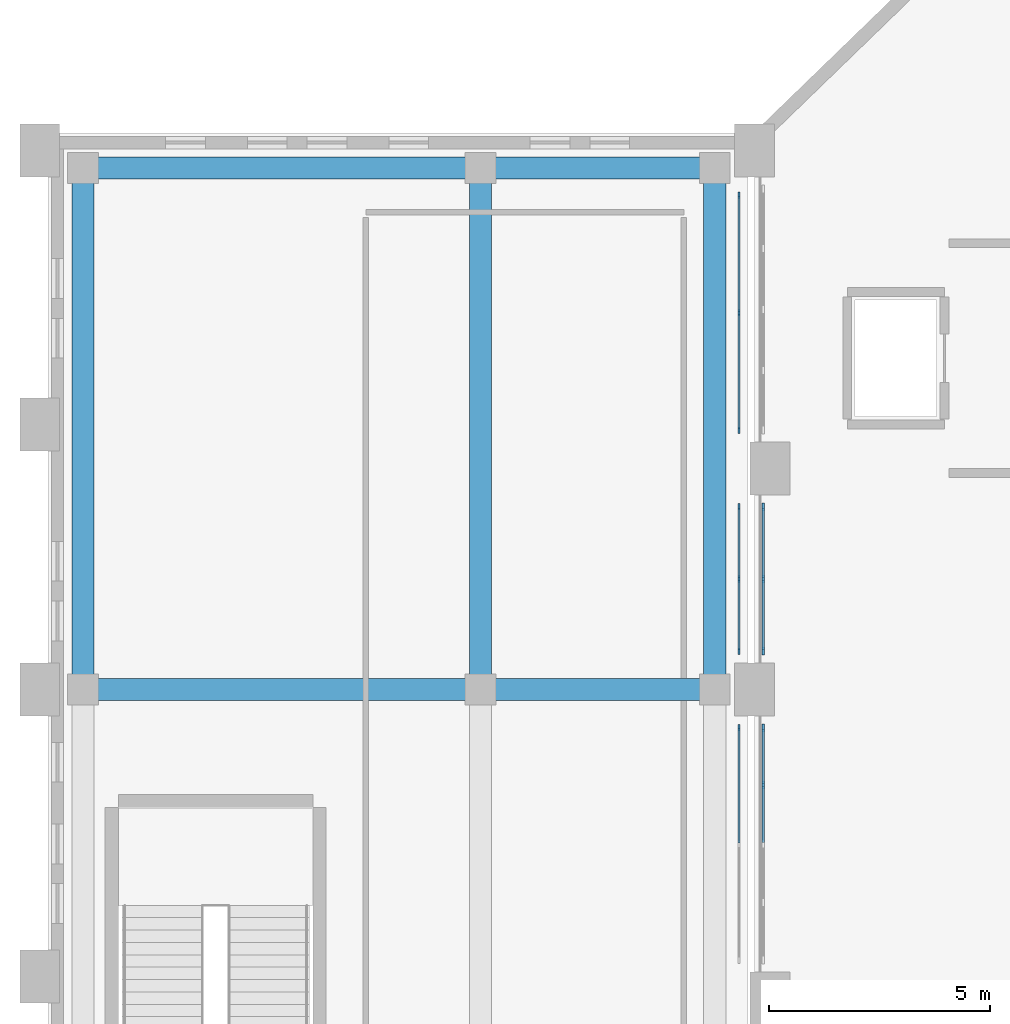
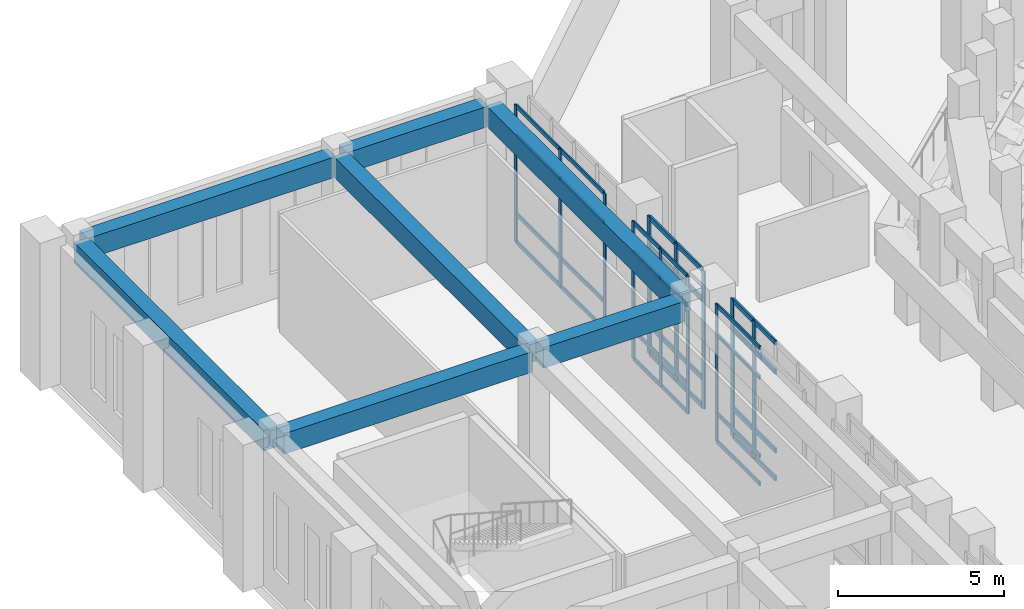
# One storey, part 47 of 159: 48 members, 7 beams, 5 elements without a shape of their own.
"""IFC4 building model written with IfcOpenShell, lengths in metres."""

from ifc_helpers import new_model, si_unit, derived_unit, direction, frame, origin, origin_2d, place, context, subcontext, project, spatial, rectangle, extrude, material, layer, layer_set, material_profile, profile_set, type_object, element, aggregate, save


model = new_model("IFC4")

# Units and contexts
model_context = context("Model", 3, precision=1e-05, world=origin(), true_north=direction((0.0, 1.0)))
body_context = subcontext(model_context, "Body", "Model", "MODEL_VIEW")
ifc_project = project(units=[si_unit("LENGTHUNIT", "METRE"), si_unit("AREAUNIT", "SQUARE_METRE"), si_unit("VOLUMEUNIT", "CUBIC_METRE"), si_unit("PLANEANGLEUNIT", "RADIAN"), si_unit("MASSUNIT", "GRAM", prefix="KILO"), derived_unit("THERMALTRANSMITTANCEUNIT", [(si_unit("MASSUNIT", "GRAM", prefix="KILO"), 1), (si_unit("TIMEUNIT", "SECOND"), -3), (si_unit("THERMODYNAMICTEMPERATUREUNIT", "KELVIN"), -1)])], contexts=[model_context])

# Site, building, storey
site_placement = place(None, origin())
site = spatial("IfcSite", under=ifc_project, at=site_placement, CompositionType="ELEMENT")
building_placement = place(site_placement, origin())
building = spatial("IfcBuilding", under=site, at=building_placement, Name="Valcora Ridge Arena", CompositionType="ELEMENT")
storey_placement = place(building_placement, frame((0.0, 0.0, 6.0)))
storey = spatial("IfcBuildingStorey", under=building, at=storey_placement, Name="L01", CompositionType="ELEMENT", Elevation=6.0)

# Beams
ifc_material_1 = material(Name="Concrete C40/50", Category="concrete")
ifc_material_profile_1 = material_profile(ifc_material_1, rectangle(XDim=0.5, YDim=0.75, at=origin_2d()), Name="RC 500x750")
ifc_profile_set_1 = profile_set([ifc_material_profile_1], Name="Concrete C40/50")
beam_type_1 = type_object("IfcBeamType", Name="TY-BEAM-B-RC500-X", PredefinedType="BEAM", material=ifc_profile_set_1)
beam_1_placement = place(storey_placement, frame((1.0, 83.0, 4.6650390625), z_axis=(1.0, 0.0, 0.0), x_axis=(0.0, 1.0, 0.0)))
element("IfcBeam", 1, at=beam_1_placement, inside=storey, type_object=beam_type_1, Name="B-RC500-X BEM-B-RC500-X-0051", PredefinedType="BEAM", context=body_context, shape_type="SweptSolid", body=[
    extrude(rectangle(XDim=0.5, YDim=0.75, at=origin_2d()), origin(), (0.0, 0.0, 1.0), 8.60009765625),
])
beam_2_placement = place(storey_placement, frame((10.0, 83.0, 4.6650390625), z_axis=(1.0, 0.0, 0.0), x_axis=(0.0, 1.0, 0.0)))
element("IfcBeam", 2, at=beam_2_placement, inside=storey, type_object=beam_type_1, Name="B-RC500-X BEM-B-RC500-X-0052", PredefinedType="BEAM", context=body_context, shape_type="SweptSolid", body=[
    extrude(rectangle(XDim=0.5, YDim=0.75, at=origin_2d()), origin(), (0.0, 0.0, 1.0), 4.89990234375),
])
ifc_material_profile_2 = material_profile(ifc_material_1, rectangle(XDim=0.5, YDim=0.75, at=origin_2d()), Name="RC 500x750")
ifc_profile_set_2 = profile_set([ifc_material_profile_2], Name="Concrete C40/50")
beam_type_2 = type_object("IfcBeamType", Name="TY-BEAM-B-RC500-Y", PredefinedType="BEAM", material=ifc_profile_set_2)
for number, where, z_axis, x_axis, name in (
    (3, (0.800048828125, 83.199951171875, 4.6650390625), (0.0, 1.0, 0.0), (-1.0, 0.0, 0.0), "B-RC500-Y BEM-B-RC500-Y-0041"),
    (4, (9.800048828125, 83.199951171875, 4.6650390625), (0.0, 1.0, 0.0), (-1.0, 0.0, 0.0), "B-RC500-Y BEM-B-RC500-Y-0049"),
    (5, (15.10009765625, 83.199951171875, 4.6650390625), (0.0, 1.0, 0.0), (-1.0, 0.0, 0.0), "B-RC500-Y BEM-B-RC500-Y-0056"),
):
    element("IfcBeam", number, at=place(storey_placement, frame(where, z_axis=z_axis, x_axis=x_axis)), inside=storey, type_object=beam_type_2, Name=name, PredefinedType="BEAM", context=body_context, shape_type="SweptSolid", body=[
        extrude(rectangle(XDim=0.5, YDim=0.75, at=origin_2d()), origin(), (0.0, 0.0, 1.0), 11.400146484375),
    ])
ifc_material_profile_3 = material_profile(ifc_material_1, rectangle(XDim=0.5, YDim=0.75, at=origin_2d()), Name="RC 500x750")
ifc_profile_set_3 = profile_set([ifc_material_profile_3], Name="Concrete C40/50")
beam_type_3 = type_object("IfcBeamType", Name="TY-BEAM-EB-RC500", PredefinedType="BEAM", material=ifc_profile_set_3)
beam_3_placement = place(storey_placement, frame((1.0, 94.800048828125, 4.6650390625), z_axis=(1.0, 0.0, 0.0), x_axis=(0.0, 1.0, 0.0)))
element("IfcBeam", 6, at=beam_3_placement, inside=storey, type_object=beam_type_3, Name="EB-RC500 BEM-EB-RC500-0017", PredefinedType="BEAM", context=body_context, shape_type="SweptSolid", body=[
    extrude(rectangle(XDim=0.5, YDim=0.75, at=origin_2d()), origin(), (0.0, 0.0, 1.0), 8.60009765625),
])
beam_4_placement = place(storey_placement, frame((10.0, 94.800048828125, 4.6650390625), z_axis=(1.0, 0.0, 0.0), x_axis=(0.0, 1.0, 0.0)))
element("IfcBeam", 7, at=beam_4_placement, inside=storey, type_object=beam_type_3, Name="EB-RC500 BEM-EB-RC500-0018", PredefinedType="BEAM", context=body_context, shape_type="SweptSolid", body=[
    extrude(rectangle(XDim=0.5, YDim=0.75, at=origin_2d()), origin(), (0.0, 0.0, 1.0), 4.89990234375),
])

# Curtain wall, member
ifc_material_2 = material(Name="Anodised dark bronze architectural aluminium 6063-T6", Category="aluminium")
ifc_layer_1 = layer(ifc_material_2, 0.14990234375, Name="Anodised dark bronze architectural aluminium 6063-T6")
ifc_layer_set_1 = layer_set([ifc_layer_1], Name="Anodised dark bronze architectural aluminium 6063-T6")
curtain_wall_type_1 = type_object("IfcCurtainWallType", Name="TY-CURTAINWALL-CW-V4-CLUB-053X50", PredefinedType="NOTDEFINED", material=ifc_layer_set_1)
curtain_wall_1_placement = place(storey_placement, origin())
curtain_wall_1 = element("IfcCurtainWall", 8, at=curtain_wall_1_placement, inside=storey, type_object=curtain_wall_type_1, Name="CW-V4-CLUB-053X50 CW-0234", PredefinedType="NOTDEFINED")
ifc_material_profile_4 = material_profile(ifc_material_2, rectangle(XDim=0.050048828125, YDim=0.14990234375, at=origin_2d()), Name="ALU MULLION 50x150")
ifc_profile_set_4 = profile_set([ifc_material_profile_4], Name="Anodised dark bronze architectural aluminium 6063-T6")
member_type_1 = type_object("IfcMemberType", Name="TY-MEM-CWM-50x150", PredefinedType="MULLION", material=ifc_profile_set_4)
member_1_placement = place(storey_placement, frame((15.64990234375, 82.135009765625, 0.0), z_axis=(0.0, 0.0, 1.0), x_axis=(-1.0, 0.0, 0.0)))
member_1 = element("IfcMember", 9, at=member_1_placement, type_object=member_type_1, Name="CW-0234/CWM-50x150/M02", PredefinedType="MULLION", context=body_context, shape_type="SweptSolid", body=[
    extrude(rectangle(XDim=0.050048828125, YDim=0.14990234375, at=origin_2d()), origin(), (0.0, 0.0, 1.0), 5.0400390625),
])

# Curtain wall, members
ifc_layer_2 = layer(ifc_material_2, 0.14990234375, Name="Anodised dark bronze architectural aluminium 6063-T6")
ifc_layer_set_2 = layer_set([ifc_layer_2], Name="Anodised dark bronze architectural aluminium 6063-T6")
curtain_wall_type_2 = type_object("IfcCurtainWallType", Name="TY-CURTAINWALL-CW-V4-CLUB-033X50", PredefinedType="NOTDEFINED", material=ifc_layer_set_2)
curtain_wall_2_placement = place(storey_placement, origin())
curtain_wall_2 = element("IfcCurtainWall", 10, at=curtain_wall_2_placement, inside=storey, type_object=curtain_wall_type_2, Name="CW-V4-CLUB-033X50 CW-0235", PredefinedType="NOTDEFINED")
member_2_placement = place(storey_placement, frame((15.64990234375, 83.864990234375, 0.0), z_axis=(0.0, 0.0, 1.0), x_axis=(-1.0, 0.0, 0.0)))
member_2 = element("IfcMember", 11, at=member_2_placement, type_object=member_type_1, Name="CW-0235/CWM-50x150/M00", PredefinedType="MULLION", context=body_context, shape_type="SweptSolid", body=[
    extrude(rectangle(XDim=0.050048828125, YDim=0.14990234375, at=origin_2d()), origin(), (0.0, 0.0, 1.0), 5.0400390625),
])
member_3_placement = place(storey_placement, frame((15.64990234375, 85.5, 0.0), z_axis=(0.0, 0.0, 1.0), x_axis=(-1.0, 0.0, 0.0)))
member_3 = element("IfcMember", 12, at=member_3_placement, type_object=member_type_1, Name="CW-0235/CWM-50x150/M01", PredefinedType="MULLION", context=body_context, shape_type="SweptSolid", body=[
    extrude(rectangle(XDim=0.050048828125, YDim=0.14990234375, at=origin_2d()), origin(), (0.0, 0.0, 1.0), 5.0400390625),
])
member_4_placement = place(storey_placement, frame((15.64990234375, 87.135009765625, 0.0), z_axis=(0.0, 0.0, 1.0), x_axis=(-1.0, 0.0, 0.0)))
member_4 = element("IfcMember", 13, at=member_4_placement, type_object=member_type_1, Name="CW-0235/CWM-50x150/M02", PredefinedType="MULLION", context=body_context, shape_type="SweptSolid", body=[
    extrude(rectangle(XDim=0.050048828125, YDim=0.14990234375, at=origin_2d()), origin(), (0.0, 0.0, 1.0), 5.0400390625),
])

ifc_layer_3 = layer(ifc_material_2, 0.14990234375, Name="Anodised dark bronze architectural aluminium 6063-T6")
ifc_layer_set_3 = layer_set([ifc_layer_3], Name="Anodised dark bronze architectural aluminium 6063-T6")
curtain_wall_type_3 = type_object("IfcCurtainWallType", Name="TY-CURTAINWALL-CW-V4-CLUB-054X50", PredefinedType="NOTDEFINED", material=ifc_layer_set_3)
curtain_wall_3_placement = place(storey_placement, origin())
curtain_wall_3 = element("IfcCurtainWall", 14, at=curtain_wall_3_placement, inside=storey, type_object=curtain_wall_type_3, Name="CW-V4-CLUB-054X50 CW-0236", PredefinedType="NOTDEFINED")
member_5_placement = place(storey_placement, frame((15.64990234375, 88.864990234375, 0.0), z_axis=(0.0, 0.0, 1.0), x_axis=(-1.0, 0.0, 0.0)))
member_5 = element("IfcMember", 15, at=member_5_placement, type_object=member_type_1, Name="CW-0236/CWM-50x150/M00", PredefinedType="MULLION", context=body_context, shape_type="SweptSolid", body=[
    extrude(rectangle(XDim=0.050048828125, YDim=0.14990234375, at=origin_2d()), origin(), (0.0, 0.0, 1.0), 5.0400390625),
])
member_6_placement = place(storey_placement, frame((15.64990234375, 91.52490234375, 0.0), z_axis=(0.0, 0.0, 1.0), x_axis=(-1.0, 0.0, 0.0)))
member_6 = element("IfcMember", 16, at=member_6_placement, type_object=member_type_1, Name="CW-0236/CWM-50x150/M01", PredefinedType="MULLION", context=body_context, shape_type="SweptSolid", body=[
    extrude(rectangle(XDim=0.050048828125, YDim=0.14990234375, at=origin_2d()), origin(), (0.0, 0.0, 1.0), 5.0400390625),
])
member_7_placement = place(storey_placement, frame((15.64990234375, 94.18505859375, 0.0), z_axis=(0.0, 0.0, 1.0), x_axis=(-1.0, 0.0, 0.0)))
member_7 = element("IfcMember", 17, at=member_7_placement, type_object=member_type_1, Name="CW-0236/CWM-50x150/M02", PredefinedType="MULLION", context=body_context, shape_type="SweptSolid", body=[
    extrude(rectangle(XDim=0.050048828125, YDim=0.14990234375, at=origin_2d()), origin(), (0.0, 0.0, 1.0), 5.0400390625),
])

ifc_layer_4 = layer(ifc_material_2, 0.179931640625, Name="Anodised dark bronze architectural aluminium 6063-T6")
ifc_layer_set_4 = layer_set([ifc_layer_4], Name="Anodised dark bronze architectural aluminium 6063-T6")
curtain_wall_type_4 = type_object("IfcCurtainWallType", Name="TY-CURTAINWALL-CW-V1-GOTH-053X50", PredefinedType="NOTDEFINED", material=ifc_layer_set_4)
curtain_wall_4_placement = place(storey_placement, origin())
curtain_wall_4 = element("IfcCurtainWall", 18, at=curtain_wall_4_placement, inside=storey, type_object=curtain_wall_type_4, Name="CW-V1-GOTH-053X50 CW-0095", PredefinedType="NOTDEFINED")
ifc_material_profile_5 = material_profile(ifc_material_2, rectangle(XDim=0.06005859375, YDim=0.179931640625, at=origin_2d()), Name="ALU MULLION 60x180")
ifc_profile_set_5 = profile_set([ifc_material_profile_5], Name="Anodised dark bronze architectural aluminium 6063-T6")
member_type_2 = type_object("IfcMemberType", Name="TY-MEM-CWM-60x180", PredefinedType="MULLION", material=ifc_profile_set_5)
member_8_placement = place(storey_placement, frame((16.199951171875, 80.830078125, 0.0), z_axis=(0.0, 0.0, 1.0), x_axis=(-1.0, 0.0, 0.0)))
member_8 = element("IfcMember", 19, at=member_8_placement, type_object=member_type_2, Name="CW-0095/CWM-60x180/M03", PredefinedType="MULLION", context=body_context, shape_type="SweptSolid", body=[
    extrude(rectangle(XDim=0.06005859375, YDim=0.179931640625, at=origin_2d()), origin(), (0.0, 0.0, 1.0), 5.0400390625),
])
member_9_placement = place(storey_placement, frame((16.199951171875, 82.1298828125, 0.0), z_axis=(0.0, 0.0, 1.0), x_axis=(-1.0, 0.0, 0.0)))
member_9 = element("IfcMember", 20, at=member_9_placement, type_object=member_type_2, Name="CW-0095/CWM-60x180/M04", PredefinedType="MULLION", context=body_context, shape_type="SweptSolid", body=[
    extrude(rectangle(XDim=0.06005859375, YDim=0.179931640625, at=origin_2d()), origin(), (0.0, 0.0, 1.0), 5.0400390625),
])

ifc_layer_5 = layer(ifc_material_2, 0.179931640625, Name="Anodised dark bronze architectural aluminium 6063-T6")
ifc_layer_set_5 = layer_set([ifc_layer_5], Name="Anodised dark bronze architectural aluminium 6063-T6")
curtain_wall_type_5 = type_object("IfcCurtainWallType", Name="TY-CURTAINWALL-CW-V1-GOTH-033X50", PredefinedType="NOTDEFINED", material=ifc_layer_set_5)
curtain_wall_5_placement = place(storey_placement, origin())
curtain_wall_5 = element("IfcCurtainWall", 21, at=curtain_wall_5_placement, inside=storey, type_object=curtain_wall_type_5, Name="CW-V1-GOTH-033X50 CW-0096", PredefinedType="NOTDEFINED")
member_10_placement = place(storey_placement, frame((16.199951171875, 83.8701171875, 0.0), z_axis=(0.0, 0.0, 1.0), x_axis=(-1.0, 0.0, 0.0)))
member_10 = element("IfcMember", 22, at=member_10_placement, type_object=member_type_2, Name="CW-0096/CWM-60x180/M00", PredefinedType="MULLION", context=body_context, shape_type="SweptSolid", body=[
    extrude(rectangle(XDim=0.06005859375, YDim=0.179931640625, at=origin_2d()), origin(), (0.0, 0.0, 1.0), 5.0400390625),
])
member_11_placement = place(storey_placement, frame((16.199951171875, 85.5, 0.0), z_axis=(0.0, 0.0, 1.0), x_axis=(-1.0, 0.0, 0.0)))
member_11 = element("IfcMember", 23, at=member_11_placement, type_object=member_type_2, Name="CW-0096/CWM-60x180/M01", PredefinedType="MULLION", context=body_context, shape_type="SweptSolid", body=[
    extrude(rectangle(XDim=0.06005859375, YDim=0.179931640625, at=origin_2d()), origin(), (0.0, 0.0, 1.0), 5.0400390625),
])
member_12_placement = place(storey_placement, frame((16.199951171875, 87.1298828125, 0.0), z_axis=(0.0, 0.0, 1.0), x_axis=(-1.0, 0.0, 0.0)))
member_12 = element("IfcMember", 24, at=member_12_placement, type_object=member_type_2, Name="CW-0096/CWM-60x180/M02", PredefinedType="MULLION", context=body_context, shape_type="SweptSolid", body=[
    extrude(rectangle(XDim=0.06005859375, YDim=0.179931640625, at=origin_2d()), origin(), (0.0, 0.0, 1.0), 5.0400390625),
])

# Member
ifc_material_profile_6 = material_profile(ifc_material_2, rectangle(XDim=0.050048828125, YDim=0.14990234375, at=origin_2d()), Name="ALU TRANSOM 50x150")
ifc_profile_set_6 = profile_set([ifc_material_profile_6], Name="Anodised dark bronze architectural aluminium 6063-T6")
member_type_3 = type_object("IfcMemberType", Name="TY-MEM-CWT-50x150", PredefinedType="USERDEFINED", material=ifc_profile_set_6)
member_13_placement = place(storey_placement, frame((15.64990234375, 79.52490234375, 0.02490234375), z_axis=(0.0, 1.0, 0.0), x_axis=(-1.0, 0.0, 0.0)))
member_13 = element("IfcMember", 25, at=member_13_placement, type_object=member_type_3, Name="CW-0234/CWT-50x150/T01-00", ObjectType="TRANSOM", PredefinedType="USERDEFINED", context=body_context, shape_type="SweptSolid", body=[
    extrude(rectangle(XDim=0.050048828125, YDim=0.14990234375, at=origin_2d()), origin(), (0.0, 0.0, 1.0), 2.585205078125),
])

member_14_placement = place(storey_placement, frame((15.64990234375, 79.52490234375, 1.050048828125), z_axis=(0.0, 1.0, 0.0), x_axis=(-1.0, 0.0, 0.0)))
member_14 = element("IfcMember", 26, at=member_14_placement, type_object=member_type_3, Name="CW-0234/CWT-50x150/T01-01", ObjectType="TRANSOM", PredefinedType="USERDEFINED", context=body_context, shape_type="SweptSolid", body=[
    extrude(rectangle(XDim=0.050048828125, YDim=0.14990234375, at=origin_2d()), origin(), (0.0, 0.0, 1.0), 2.585205078125),
])

member_15_placement = place(storey_placement, frame((15.64990234375, 79.52490234375, 3.93994140625), z_axis=(0.0, 1.0, 0.0), x_axis=(-1.0, 0.0, 0.0)))
member_15 = element("IfcMember", 27, at=member_15_placement, type_object=member_type_3, Name="CW-0234/CWT-50x150/T01-02", ObjectType="TRANSOM", PredefinedType="USERDEFINED", context=body_context, shape_type="SweptSolid", body=[
    extrude(rectangle(XDim=0.050048828125, YDim=0.14990234375, at=origin_2d()), origin(), (0.0, 0.0, 1.0), 2.585205078125),
])

member_16_placement = place(storey_placement, frame((15.64990234375, 79.52490234375, 5.014892578125), z_axis=(0.0, 1.0, 0.0), x_axis=(-1.0, 0.0, 0.0)))
member_16 = element("IfcMember", 28, at=member_16_placement, type_object=member_type_3, Name="CW-0234/CWT-50x150/T01-03", ObjectType="TRANSOM", PredefinedType="USERDEFINED", context=body_context, shape_type="SweptSolid", body=[
    extrude(rectangle(XDim=0.050048828125, YDim=0.14990234375, at=origin_2d()), origin(), (0.0, 0.0, 1.0), 2.585205078125),
])

aggregate(curtain_wall_1, [member_1, member_13, member_14, member_15, member_16])

member_17_placement = place(storey_placement, frame((15.64990234375, 83.889892578125, 0.02490234375), z_axis=(0.0, 1.0, 0.0), x_axis=(-1.0, 0.0, 0.0)))
member_17 = element("IfcMember", 29, at=member_17_placement, type_object=member_type_3, Name="CW-0235/CWT-50x150/T00-00", ObjectType="TRANSOM", PredefinedType="USERDEFINED", context=body_context, shape_type="SweptSolid", body=[
    extrude(rectangle(XDim=0.050048828125, YDim=0.14990234375, at=origin_2d()), origin(), (0.0, 0.0, 1.0), 1.585205078125),
])

member_18_placement = place(storey_placement, frame((15.64990234375, 83.889892578125, 1.050048828125), z_axis=(0.0, 1.0, 0.0), x_axis=(-1.0, 0.0, 0.0)))
member_18 = element("IfcMember", 30, at=member_18_placement, type_object=member_type_3, Name="CW-0235/CWT-50x150/T00-01", ObjectType="TRANSOM", PredefinedType="USERDEFINED", context=body_context, shape_type="SweptSolid", body=[
    extrude(rectangle(XDim=0.050048828125, YDim=0.14990234375, at=origin_2d()), origin(), (0.0, 0.0, 1.0), 1.585205078125),
])

member_19_placement = place(storey_placement, frame((15.64990234375, 83.889892578125, 3.93994140625), z_axis=(0.0, 1.0, 0.0), x_axis=(-1.0, 0.0, 0.0)))
member_19 = element("IfcMember", 31, at=member_19_placement, type_object=member_type_3, Name="CW-0235/CWT-50x150/T00-02", ObjectType="TRANSOM", PredefinedType="USERDEFINED", context=body_context, shape_type="SweptSolid", body=[
    extrude(rectangle(XDim=0.050048828125, YDim=0.14990234375, at=origin_2d()), origin(), (0.0, 0.0, 1.0), 1.585205078125),
])

member_20_placement = place(storey_placement, frame((15.64990234375, 83.889892578125, 5.014892578125), z_axis=(0.0, 1.0, 0.0), x_axis=(-1.0, 0.0, 0.0)))
member_20 = element("IfcMember", 32, at=member_20_placement, type_object=member_type_3, Name="CW-0235/CWT-50x150/T00-03", ObjectType="TRANSOM", PredefinedType="USERDEFINED", context=body_context, shape_type="SweptSolid", body=[
    extrude(rectangle(XDim=0.050048828125, YDim=0.14990234375, at=origin_2d()), origin(), (0.0, 0.0, 1.0), 1.585205078125),
])

member_21_placement = place(storey_placement, frame((15.64990234375, 85.52490234375, 0.02490234375), z_axis=(0.0, 1.0, 0.0), x_axis=(-1.0, 0.0, 0.0)))
member_21 = element("IfcMember", 33, at=member_21_placement, type_object=member_type_3, Name="CW-0235/CWT-50x150/T01-00", ObjectType="TRANSOM", PredefinedType="USERDEFINED", context=body_context, shape_type="SweptSolid", body=[
    extrude(rectangle(XDim=0.050048828125, YDim=0.14990234375, at=origin_2d()), origin(), (0.0, 0.0, 1.0), 1.585205078125),
])

member_22_placement = place(storey_placement, frame((15.64990234375, 85.52490234375, 1.050048828125), z_axis=(0.0, 1.0, 0.0), x_axis=(-1.0, 0.0, 0.0)))
member_22 = element("IfcMember", 34, at=member_22_placement, type_object=member_type_3, Name="CW-0235/CWT-50x150/T01-01", ObjectType="TRANSOM", PredefinedType="USERDEFINED", context=body_context, shape_type="SweptSolid", body=[
    extrude(rectangle(XDim=0.050048828125, YDim=0.14990234375, at=origin_2d()), origin(), (0.0, 0.0, 1.0), 1.585205078125),
])

member_23_placement = place(storey_placement, frame((15.64990234375, 85.52490234375, 3.93994140625), z_axis=(0.0, 1.0, 0.0), x_axis=(-1.0, 0.0, 0.0)))
member_23 = element("IfcMember", 35, at=member_23_placement, type_object=member_type_3, Name="CW-0235/CWT-50x150/T01-02", ObjectType="TRANSOM", PredefinedType="USERDEFINED", context=body_context, shape_type="SweptSolid", body=[
    extrude(rectangle(XDim=0.050048828125, YDim=0.14990234375, at=origin_2d()), origin(), (0.0, 0.0, 1.0), 1.585205078125),
])

member_24_placement = place(storey_placement, frame((15.64990234375, 85.52490234375, 5.014892578125), z_axis=(0.0, 1.0, 0.0), x_axis=(-1.0, 0.0, 0.0)))
member_24 = element("IfcMember", 36, at=member_24_placement, type_object=member_type_3, Name="CW-0235/CWT-50x150/T01-03", ObjectType="TRANSOM", PredefinedType="USERDEFINED", context=body_context, shape_type="SweptSolid", body=[
    extrude(rectangle(XDim=0.050048828125, YDim=0.14990234375, at=origin_2d()), origin(), (0.0, 0.0, 1.0), 1.585205078125),
])

aggregate(curtain_wall_2, [member_2, member_3, member_4, member_17, member_18, member_19, member_20, member_21, member_22, member_23, member_24])

member_25_placement = place(storey_placement, frame((15.64990234375, 88.889892578125, 0.02490234375), z_axis=(0.0, 1.0, 0.0), x_axis=(-1.0, 0.0, 0.0)))
member_25 = element("IfcMember", 37, at=member_25_placement, type_object=member_type_3, Name="CW-0236/CWT-50x150/T00-00", ObjectType="TRANSOM", PredefinedType="USERDEFINED", context=body_context, shape_type="SweptSolid", body=[
    extrude(rectangle(XDim=0.050048828125, YDim=0.14990234375, at=origin_2d()), origin(), (0.0, 0.0, 1.0), 2.610107421875),
])

member_26_placement = place(storey_placement, frame((15.64990234375, 88.889892578125, 1.050048828125), z_axis=(0.0, 1.0, 0.0), x_axis=(-1.0, 0.0, 0.0)))
member_26 = element("IfcMember", 38, at=member_26_placement, type_object=member_type_3, Name="CW-0236/CWT-50x150/T00-01", ObjectType="TRANSOM", PredefinedType="USERDEFINED", context=body_context, shape_type="SweptSolid", body=[
    extrude(rectangle(XDim=0.050048828125, YDim=0.14990234375, at=origin_2d()), origin(), (0.0, 0.0, 1.0), 2.610107421875),
])

member_27_placement = place(storey_placement, frame((15.64990234375, 88.889892578125, 3.93994140625), z_axis=(0.0, 1.0, 0.0), x_axis=(-1.0, 0.0, 0.0)))
member_27 = element("IfcMember", 39, at=member_27_placement, type_object=member_type_3, Name="CW-0236/CWT-50x150/T00-02", ObjectType="TRANSOM", PredefinedType="USERDEFINED", context=body_context, shape_type="SweptSolid", body=[
    extrude(rectangle(XDim=0.050048828125, YDim=0.14990234375, at=origin_2d()), origin(), (0.0, 0.0, 1.0), 2.610107421875),
])

member_28_placement = place(storey_placement, frame((15.64990234375, 88.889892578125, 5.014892578125), z_axis=(0.0, 1.0, 0.0), x_axis=(-1.0, 0.0, 0.0)))
member_28 = element("IfcMember", 40, at=member_28_placement, type_object=member_type_3, Name="CW-0236/CWT-50x150/T00-03", ObjectType="TRANSOM", PredefinedType="USERDEFINED", context=body_context, shape_type="SweptSolid", body=[
    extrude(rectangle(XDim=0.050048828125, YDim=0.14990234375, at=origin_2d()), origin(), (0.0, 0.0, 1.0), 2.610107421875),
])

member_29_placement = place(storey_placement, frame((15.64990234375, 91.550048828125, 0.02490234375), z_axis=(0.0, 1.0, 0.0), x_axis=(-1.0, 0.0, 0.0)))
member_29 = element("IfcMember", 41, at=member_29_placement, type_object=member_type_3, Name="CW-0236/CWT-50x150/T01-00", ObjectType="TRANSOM", PredefinedType="USERDEFINED", context=body_context, shape_type="SweptSolid", body=[
    extrude(rectangle(XDim=0.050048828125, YDim=0.14990234375, at=origin_2d()), origin(), (0.0, 0.0, 1.0), 2.60986328125),
])

member_30_placement = place(storey_placement, frame((15.64990234375, 91.550048828125, 1.050048828125), z_axis=(0.0, 1.0, 0.0), x_axis=(-1.0, 0.0, 0.0)))
member_30 = element("IfcMember", 42, at=member_30_placement, type_object=member_type_3, Name="CW-0236/CWT-50x150/T01-01", ObjectType="TRANSOM", PredefinedType="USERDEFINED", context=body_context, shape_type="SweptSolid", body=[
    extrude(rectangle(XDim=0.050048828125, YDim=0.14990234375, at=origin_2d()), origin(), (0.0, 0.0, 1.0), 2.60986328125),
])

member_31_placement = place(storey_placement, frame((15.64990234375, 91.550048828125, 3.93994140625), z_axis=(0.0, 1.0, 0.0), x_axis=(-1.0, 0.0, 0.0)))
member_31 = element("IfcMember", 43, at=member_31_placement, type_object=member_type_3, Name="CW-0236/CWT-50x150/T01-02", ObjectType="TRANSOM", PredefinedType="USERDEFINED", context=body_context, shape_type="SweptSolid", body=[
    extrude(rectangle(XDim=0.050048828125, YDim=0.14990234375, at=origin_2d()), origin(), (0.0, 0.0, 1.0), 2.60986328125),
])

member_32_placement = place(storey_placement, frame((15.64990234375, 91.550048828125, 5.014892578125), z_axis=(0.0, 1.0, 0.0), x_axis=(-1.0, 0.0, 0.0)))
member_32 = element("IfcMember", 44, at=member_32_placement, type_object=member_type_3, Name="CW-0236/CWT-50x150/T01-03", ObjectType="TRANSOM", PredefinedType="USERDEFINED", context=body_context, shape_type="SweptSolid", body=[
    extrude(rectangle(XDim=0.050048828125, YDim=0.14990234375, at=origin_2d()), origin(), (0.0, 0.0, 1.0), 2.60986328125),
])

aggregate(curtain_wall_3, [member_5, member_6, member_7, member_25, member_26, member_27, member_28, member_29, member_30, member_31, member_32])

ifc_material_profile_7 = material_profile(ifc_material_2, rectangle(XDim=0.06005859375, YDim=0.179931640625, at=origin_2d()), Name="ALU TRANSOM 60x180")
ifc_profile_set_7 = profile_set([ifc_material_profile_7], Name="Anodised dark bronze architectural aluminium 6063-T6")
member_type_4 = type_object("IfcMemberType", Name="TY-MEM-CWT-60x180", PredefinedType="USERDEFINED", material=ifc_profile_set_7)
member_33_placement = place(storey_placement, frame((16.199951171875, 79.530029296875, 0.030029296875), z_axis=(0.0, 1.0, 0.0), x_axis=(-1.0, 0.0, 0.0)))
member_33 = element("IfcMember", 45, at=member_33_placement, type_object=member_type_4, Name="CW-0095/CWT-60x180/T02-00", ObjectType="TRANSOM", PredefinedType="USERDEFINED", context=body_context, shape_type="SweptSolid", body=[
    extrude(rectangle(XDim=0.06005859375, YDim=0.179931640625, at=origin_2d()), origin(), (0.0, 0.0, 1.0), 1.27001953125),
])

member_34_placement = place(storey_placement, frame((16.199951171875, 79.530029296875, 1.050048828125), z_axis=(0.0, 1.0, 0.0), x_axis=(-1.0, 0.0, 0.0)))
member_34 = element("IfcMember", 46, at=member_34_placement, type_object=member_type_4, Name="CW-0095/CWT-60x180/T02-01", ObjectType="TRANSOM", PredefinedType="USERDEFINED", context=body_context, shape_type="SweptSolid", body=[
    extrude(rectangle(XDim=0.06005859375, YDim=0.179931640625, at=origin_2d()), origin(), (0.0, 0.0, 1.0), 1.27001953125),
])

member_35_placement = place(storey_placement, frame((16.199951171875, 79.530029296875, 3.93994140625), z_axis=(0.0, 1.0, 0.0), x_axis=(-1.0, 0.0, 0.0)))
member_35 = element("IfcMember", 47, at=member_35_placement, type_object=member_type_4, Name="CW-0095/CWT-60x180/T02-02", ObjectType="TRANSOM", PredefinedType="USERDEFINED", context=body_context, shape_type="SweptSolid", body=[
    extrude(rectangle(XDim=0.06005859375, YDim=0.179931640625, at=origin_2d()), origin(), (0.0, 0.0, 1.0), 1.27001953125),
])

member_36_placement = place(storey_placement, frame((16.199951171875, 79.530029296875, 5.010009765625), z_axis=(0.0, 1.0, 0.0), x_axis=(-1.0, 0.0, 0.0)))
member_36 = element("IfcMember", 48, at=member_36_placement, type_object=member_type_4, Name="CW-0095/CWT-60x180/T02-03", ObjectType="TRANSOM", PredefinedType="USERDEFINED", context=body_context, shape_type="SweptSolid", body=[
    extrude(rectangle(XDim=0.06005859375, YDim=0.179931640625, at=origin_2d()), origin(), (0.0, 0.0, 1.0), 1.27001953125),
])

member_37_placement = place(storey_placement, frame((16.199951171875, 80.860107421875, 0.030029296875), z_axis=(0.0, 1.0, 0.0), x_axis=(-1.0, 0.0, 0.0)))
member_37 = element("IfcMember", 49, at=member_37_placement, type_object=member_type_4, Name="CW-0095/CWT-60x180/T03-00", ObjectType="TRANSOM", PredefinedType="USERDEFINED", context=body_context, shape_type="SweptSolid", body=[
    extrude(rectangle(XDim=0.06005859375, YDim=0.179931640625, at=origin_2d()), origin(), (0.0, 0.0, 1.0), 1.239990234375),
])

member_38_placement = place(storey_placement, frame((16.199951171875, 80.860107421875, 1.050048828125), z_axis=(0.0, 1.0, 0.0), x_axis=(-1.0, 0.0, 0.0)))
member_38 = element("IfcMember", 50, at=member_38_placement, type_object=member_type_4, Name="CW-0095/CWT-60x180/T03-01", ObjectType="TRANSOM", PredefinedType="USERDEFINED", context=body_context, shape_type="SweptSolid", body=[
    extrude(rectangle(XDim=0.06005859375, YDim=0.179931640625, at=origin_2d()), origin(), (0.0, 0.0, 1.0), 1.239990234375),
])

member_39_placement = place(storey_placement, frame((16.199951171875, 80.860107421875, 3.93994140625), z_axis=(0.0, 1.0, 0.0), x_axis=(-1.0, 0.0, 0.0)))
member_39 = element("IfcMember", 51, at=member_39_placement, type_object=member_type_4, Name="CW-0095/CWT-60x180/T03-02", ObjectType="TRANSOM", PredefinedType="USERDEFINED", context=body_context, shape_type="SweptSolid", body=[
    extrude(rectangle(XDim=0.06005859375, YDim=0.179931640625, at=origin_2d()), origin(), (0.0, 0.0, 1.0), 1.239990234375),
])

member_40_placement = place(storey_placement, frame((16.199951171875, 80.860107421875, 5.010009765625), z_axis=(0.0, 1.0, 0.0), x_axis=(-1.0, 0.0, 0.0)))
member_40 = element("IfcMember", 52, at=member_40_placement, type_object=member_type_4, Name="CW-0095/CWT-60x180/T03-03", ObjectType="TRANSOM", PredefinedType="USERDEFINED", context=body_context, shape_type="SweptSolid", body=[
    extrude(rectangle(XDim=0.06005859375, YDim=0.179931640625, at=origin_2d()), origin(), (0.0, 0.0, 1.0), 1.239990234375),
])

aggregate(curtain_wall_4, [member_8, member_9, member_33, member_34, member_35, member_36, member_37, member_38, member_39, member_40])

member_41_placement = place(storey_placement, frame((16.199951171875, 83.89990234375, 0.030029296875), z_axis=(0.0, 1.0, 0.0), x_axis=(-1.0, 0.0, 0.0)))
member_41 = element("IfcMember", 53, at=member_41_placement, type_object=member_type_4, Name="CW-0096/CWT-60x180/T00-00", ObjectType="TRANSOM", PredefinedType="USERDEFINED", context=body_context, shape_type="SweptSolid", body=[
    extrude(rectangle(XDim=0.06005859375, YDim=0.179931640625, at=origin_2d()), origin(), (0.0, 0.0, 1.0), 1.570068359375),
])

member_42_placement = place(storey_placement, frame((16.199951171875, 83.89990234375, 1.050048828125), z_axis=(0.0, 1.0, 0.0), x_axis=(-1.0, 0.0, 0.0)))
member_42 = element("IfcMember", 54, at=member_42_placement, type_object=member_type_4, Name="CW-0096/CWT-60x180/T00-01", ObjectType="TRANSOM", PredefinedType="USERDEFINED", context=body_context, shape_type="SweptSolid", body=[
    extrude(rectangle(XDim=0.06005859375, YDim=0.179931640625, at=origin_2d()), origin(), (0.0, 0.0, 1.0), 1.570068359375),
])

member_43_placement = place(storey_placement, frame((16.199951171875, 83.89990234375, 3.93994140625), z_axis=(0.0, 1.0, 0.0), x_axis=(-1.0, 0.0, 0.0)))
member_43 = element("IfcMember", 55, at=member_43_placement, type_object=member_type_4, Name="CW-0096/CWT-60x180/T00-02", ObjectType="TRANSOM", PredefinedType="USERDEFINED", context=body_context, shape_type="SweptSolid", body=[
    extrude(rectangle(XDim=0.06005859375, YDim=0.179931640625, at=origin_2d()), origin(), (0.0, 0.0, 1.0), 1.570068359375),
])

member_44_placement = place(storey_placement, frame((16.199951171875, 83.89990234375, 5.010009765625), z_axis=(0.0, 1.0, 0.0), x_axis=(-1.0, 0.0, 0.0)))
member_44 = element("IfcMember", 56, at=member_44_placement, type_object=member_type_4, Name="CW-0096/CWT-60x180/T00-03", ObjectType="TRANSOM", PredefinedType="USERDEFINED", context=body_context, shape_type="SweptSolid", body=[
    extrude(rectangle(XDim=0.06005859375, YDim=0.179931640625, at=origin_2d()), origin(), (0.0, 0.0, 1.0), 1.570068359375),
])

member_45_placement = place(storey_placement, frame((16.199951171875, 85.530029296875, 0.030029296875), z_axis=(0.0, 1.0, 0.0), x_axis=(-1.0, 0.0, 0.0)))
member_45 = element("IfcMember", 57, at=member_45_placement, type_object=member_type_4, Name="CW-0096/CWT-60x180/T01-00", ObjectType="TRANSOM", PredefinedType="USERDEFINED", context=body_context, shape_type="SweptSolid", body=[
    extrude(rectangle(XDim=0.06005859375, YDim=0.179931640625, at=origin_2d()), origin(), (0.0, 0.0, 1.0), 1.570068359375),
])

member_46_placement = place(storey_placement, frame((16.199951171875, 85.530029296875, 1.050048828125), z_axis=(0.0, 1.0, 0.0), x_axis=(-1.0, 0.0, 0.0)))
member_46 = element("IfcMember", 58, at=member_46_placement, type_object=member_type_4, Name="CW-0096/CWT-60x180/T01-01", ObjectType="TRANSOM", PredefinedType="USERDEFINED", context=body_context, shape_type="SweptSolid", body=[
    extrude(rectangle(XDim=0.06005859375, YDim=0.179931640625, at=origin_2d()), origin(), (0.0, 0.0, 1.0), 1.570068359375),
])

member_47_placement = place(storey_placement, frame((16.199951171875, 85.530029296875, 3.93994140625), z_axis=(0.0, 1.0, 0.0), x_axis=(-1.0, 0.0, 0.0)))
member_47 = element("IfcMember", 59, at=member_47_placement, type_object=member_type_4, Name="CW-0096/CWT-60x180/T01-02", ObjectType="TRANSOM", PredefinedType="USERDEFINED", context=body_context, shape_type="SweptSolid", body=[
    extrude(rectangle(XDim=0.06005859375, YDim=0.179931640625, at=origin_2d()), origin(), (0.0, 0.0, 1.0), 1.570068359375),
])

member_48_placement = place(storey_placement, frame((16.199951171875, 85.530029296875, 5.010009765625), z_axis=(0.0, 1.0, 0.0), x_axis=(-1.0, 0.0, 0.0)))
member_48 = element("IfcMember", 60, at=member_48_placement, type_object=member_type_4, Name="CW-0096/CWT-60x180/T01-03", ObjectType="TRANSOM", PredefinedType="USERDEFINED", context=body_context, shape_type="SweptSolid", body=[
    extrude(rectangle(XDim=0.06005859375, YDim=0.179931640625, at=origin_2d()), origin(), (0.0, 0.0, 1.0), 1.570068359375),
])

aggregate(curtain_wall_5, [member_10, member_11, member_12, member_41, member_42, member_43, member_44, member_45, member_46, member_47, member_48])

save(model, "model.ifc")
